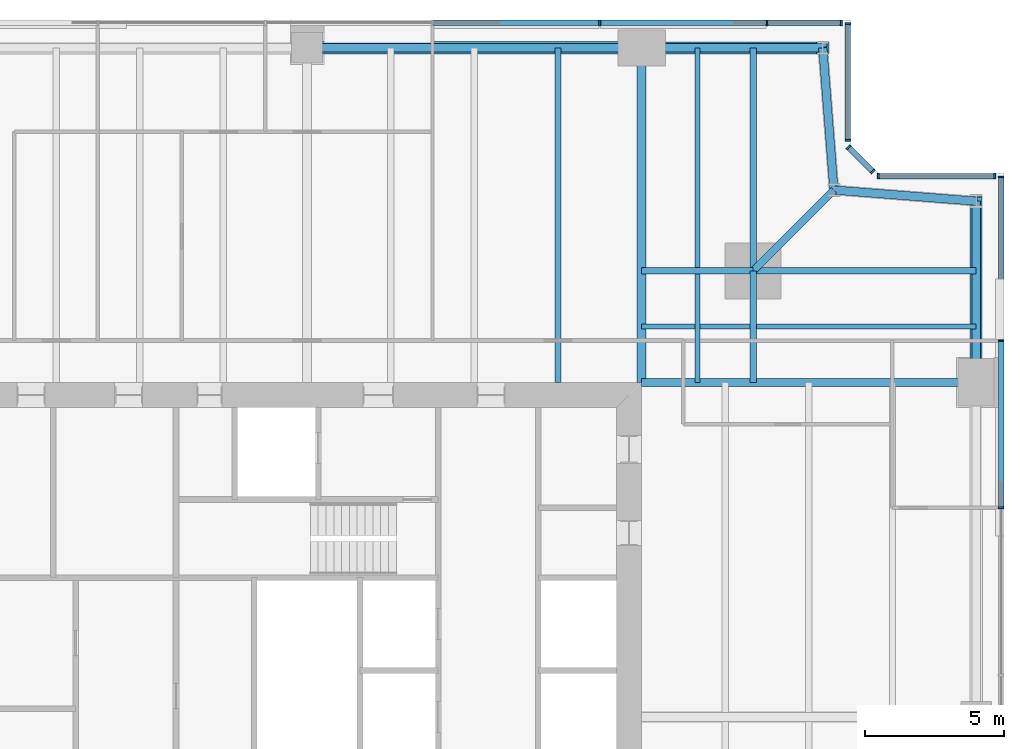
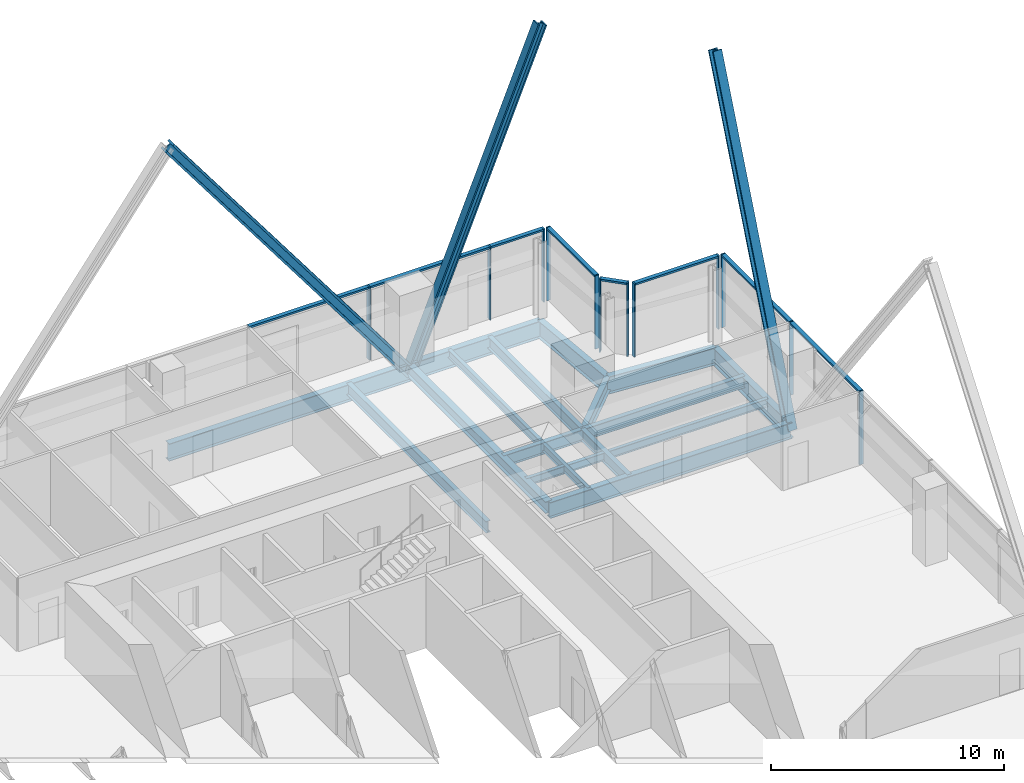
# One storey, part 7 of 13: 23 members, 18 beams, 5 elements without a shape of their own.
"""IFC4 building model written with IfcOpenShell, lengths in metres."""

from ifc_helpers import new_model, si_unit, direction, frame, origin, origin_2d, place, context, subcontext, project, spatial, rectangle, i_section, extrude, material, material_profile, profile_set, type_object, element, aggregate, save


model = new_model("IFC4")

# Units and contexts
model_context = context("Model", 3, precision=1e-05, world=origin(), true_north=direction((0.0, 1.0)))
body_context = subcontext(model_context, "Body", "Model", "MODEL_VIEW")
ifc_project = project(units=[si_unit("LENGTHUNIT", "METRE"), si_unit("AREAUNIT", "SQUARE_METRE"), si_unit("VOLUMEUNIT", "CUBIC_METRE"), si_unit("PLANEANGLEUNIT", "RADIAN"), si_unit("MASSUNIT", "GRAM", prefix="KILO")], contexts=[model_context])

# Site, building, storey
site_placement = place(None, origin())
site = spatial("IfcSite", under=ifc_project, at=site_placement, CompositionType="ELEMENT")
building_placement = place(site_placement, origin())
building = spatial("IfcBuilding", under=site, at=building_placement, Name="Fenwick Lantern Interchange", CompositionType="ELEMENT")
storey_placement = place(building_placement, frame((0.0, 0.0, 201.800048828125)))
storey = spatial("IfcBuildingStorey", under=building, at=storey_placement, Name="L47", CompositionType="ELEMENT", Elevation=201.800048828125)

# Beams
ifc_material_1 = material(Name="Steel ASTM A992 Grade 50", Category="steel")
ifc_material_profile_1 = material_profile(ifc_material_1, i_section(OverallWidth=0.3046875, OverallDepth=0.911865234375, WebThickness=0.015869140625, FlangeThickness=0.02392578125, at=origin_2d()), Name="W36X150")
ifc_profile_set_1 = profile_set([ifc_material_profile_1], Name="Steel ASTM A992 Grade 50")
beam_type_1 = type_object("IfcBeamType", Name="EDGE BEAM W36X150", PredefinedType="SPANDREL", material=ifc_profile_set_1)
beam_1_placement = place(storey_placement, frame((49.0, 37.0, -0.60595703125), z_axis=(0.0, 1.0, 0.0), x_axis=(-1.0, 0.0, 0.0)))
element("IfcBeam", 1, at=beam_1_placement, inside=storey, type_object=beam_type_1, Name="L47/FR/E/EB4", PredefinedType="SPANDREL", context=body_context, shape_type="SweptSolid", body=[
    extrude(i_section(OverallWidth=0.3046875, OverallDepth=0.911865234375, WebThickness=0.015869140625, FlangeThickness=0.02392578125, at=origin_2d()), origin(), (0.0, 0.0, 1.0), 6.5),
])
for number, where, z_axis, x_axis, name in (
    (2, (49.0, 43.5, -0.60595703125), (-0.99693998236, 0.078170784639, 0.0), (-0.078170784639, -0.99693998236, 0.0), "L47/FR/E/EBR1"),
    (3, (43.89990234375, 43.89990234375, -0.60595703125), (-0.078170784639, 0.99693998236, 0.0), (-0.99693998236, -0.078170784639, 0.0), "L47/FR/E/EBR2"),
):
    element("IfcBeam", number, at=place(storey_placement, frame(where, z_axis=z_axis, x_axis=x_axis)), inside=storey, type_object=beam_type_1, Name=name, PredefinedType="SPANDREL", context=body_context, shape_type="SweptSolid", body=[
        extrude(i_section(OverallWidth=0.3046875, OverallDepth=0.911865234375, WebThickness=0.015869140625, FlangeThickness=0.02392578125, at=origin_2d()), origin(), (0.0, 0.0, 1.0), 5.11572265625),
    ])
beam_2_placement = place(storey_placement, frame((43.5, 49.0, -0.60595703125), z_axis=(-1.0, 0.0, 0.0), x_axis=(0.0, -1.0, 0.0)))
element("IfcBeam", 4, at=beam_2_placement, inside=storey, type_object=beam_type_1, Name="L47/FR/N/EB1", PredefinedType="SPANDREL", context=body_context, shape_type="SweptSolid", body=[
    extrude(i_section(OverallWidth=0.3046875, OverallDepth=0.911865234375, WebThickness=0.015869140625, FlangeThickness=0.02392578125, at=origin_2d()), origin(), (0.0, 0.0, 1.0), 6.5),
])
beam_3_placement = place(storey_placement, frame((37.0, 49.0, -0.60595703125), z_axis=(-1.0, 0.0, 0.0), x_axis=(0.0, -1.0, 0.0)))
element("IfcBeam", 5, at=beam_3_placement, inside=storey, type_object=beam_type_1, Name="L47/FR/N/EB2", PredefinedType="SPANDREL", context=body_context, shape_type="SweptSolid", body=[
    extrude(i_section(OverallWidth=0.3046875, OverallDepth=0.911865234375, WebThickness=0.015869140625, FlangeThickness=0.02392578125, at=origin_2d()), origin(), (0.0, 0.0, 1.0), 12.0),
])

# Members
ifc_material_profile_2 = material_profile(ifc_material_1, i_section(OverallWidth=0.424072265625, OverallDepth=0.47509765625, WebThickness=0.0478515625, FlangeThickness=0.0771484375, at=origin_2d()), Name="W14X426")
ifc_profile_set_2 = profile_set([ifc_material_profile_2], Name="Steel ASTM A992 Grade 50")
member_type_1 = type_object("IfcMemberType", Name="FACADE BRACE W14X426", PredefinedType="BRACE", material=ifc_profile_set_2)
for number, where, z_axis, x_axis, name in (
    (6, (49.0, 37.0, -0.60595703125), (0.0, 0.376377046956, 0.926466577122), (-1.0, 0.0, 0.0), "L47/FB/E/BE"),
    (7, (37.0, 49.0, -0.60595703125), (0.376377046956, 0.0, 0.926466577122), (0.0, 1.0, 0.0), "L47/FB/N/AE"),
):
    element("IfcMember", number, at=place(storey_placement, frame(where, z_axis=z_axis, x_axis=x_axis)), inside=storey, type_object=member_type_1, Name=name, PredefinedType="BRACE", context=body_context, shape_type="SweptSolid", body=[
        extrude(i_section(OverallWidth=0.424072265625, OverallDepth=0.47509765625, WebThickness=0.0478515625, FlangeThickness=0.0771484375, at=origin_2d()), origin(), (0.0, 0.0, 1.0), 17.27001953125),
    ])
ifc_material_profile_3 = material_profile(ifc_material_1, i_section(OverallWidth=0.44189453125, OverallDepth=0.53076171875, WebThickness=0.06591796875, FlangeThickness=0.105712890625, at=origin_2d()), Name="W14X605")
ifc_profile_set_3 = profile_set([ifc_material_profile_3], Name="Steel ASTM A992 Grade 50")
member_type_2 = type_object("IfcMemberType", Name="FACADE BRACE W14X605", PredefinedType="BRACE", material=ifc_profile_set_3)
member_1_placement = place(storey_placement, frame((37.0, 49.0, -0.60595703125), z_axis=(-0.6, 0.0, 0.8), x_axis=(0.0, -1.0, 0.0)))
element("IfcMember", 8, at=member_1_placement, inside=storey, type_object=member_type_2, Name="L47/FB/N/A", PredefinedType="BRACE", context=body_context, shape_type="SweptSolid", body=[
    extrude(i_section(OverallWidth=0.44189453125, OverallDepth=0.53076171875, WebThickness=0.06591796875, FlangeThickness=0.105712890625, at=origin_2d()), origin(), (0.0, 0.0, 1.0), 20.0),
])

# Beams
ifc_material_profile_4 = material_profile(ifc_material_1, i_section(OverallWidth=0.22900390625, OverallDepth=0.612060546875, WebThickness=0.011962890625, FlangeThickness=0.01953125, at=origin_2d()), Name="W24X84")
ifc_profile_set_4 = profile_set([ifc_material_profile_4], Name="Steel ASTM A992 Grade 50")
beam_type_2 = type_object("IfcBeamType", Name="FLOOR BEAM W24X84", PredefinedType="BEAM", material=ifc_profile_set_4)
beam_4_placement = place(storey_placement, frame((34.0, 49.0, -0.4560546875), z_axis=(0.0, -1.0, 0.0), x_axis=(1.0, 0.0, 0.0)))
element("IfcBeam", 9, at=beam_4_placement, inside=storey, type_object=beam_type_2, Name="L47/FR/N/R02", PredefinedType="BEAM", context=body_context, shape_type="SweptSolid", body=[
    extrude(i_section(OverallWidth=0.22900390625, OverallDepth=0.612060546875, WebThickness=0.011962890625, FlangeThickness=0.01953125, at=origin_2d()), origin(), (0.0, 0.0, 1.0), 12.0),
])
ifc_material_profile_5 = material_profile(ifc_material_1, i_section(OverallWidth=0.177734375, OverallDepth=0.406494140625, WebThickness=0.0078125, FlangeThickness=0.012939453125, at=origin_2d()), Name="W16X40")
ifc_profile_set_5 = profile_set([ifc_material_profile_5], Name="Steel ASTM A992 Grade 50")
beam_type_3 = type_object("IfcBeamType", Name="INFILL BEAM W16X40", PredefinedType="JOIST", material=ifc_profile_set_5)
beam_5_placement = place(storey_placement, frame((39.0, 49.0, -0.353271484375), z_axis=(0.0, -1.0, 0.0), x_axis=(1.0, 0.0, 0.0)))
element("IfcBeam", 10, at=beam_5_placement, inside=storey, type_object=beam_type_3, Name="L47/FR/N/J1", PredefinedType="JOIST", context=body_context, shape_type="SweptSolid", body=[
    extrude(i_section(OverallWidth=0.177734375, OverallDepth=0.406494140625, WebThickness=0.0078125, FlangeThickness=0.012939453125, at=origin_2d()), origin(), (0.0, 0.0, 1.0), 7.885498046875),
])
beam_6_placement = place(storey_placement, frame((39.0, 40.885498046875, -0.353271484375), z_axis=(0.0, -1.0, 0.0), x_axis=(1.0, 0.0, 0.0)))
element("IfcBeam", 11, at=beam_6_placement, inside=storey, type_object=beam_type_3, Name="L47/FR/N/J2", PredefinedType="JOIST", context=body_context, shape_type="SweptSolid", body=[
    extrude(i_section(OverallWidth=0.177734375, OverallDepth=0.406494140625, WebThickness=0.0078125, FlangeThickness=0.012939453125, at=origin_2d()), origin(), (0.0, 0.0, 1.0), 3.885498046875),
])
beam_7_placement = place(storey_placement, frame((49.0, 39.0, -0.353271484375), z_axis=(-1.0, 0.0, 0.0), x_axis=(0.0, -1.0, 0.0)))
element("IfcBeam", 12, at=beam_7_placement, inside=storey, type_object=beam_type_3, Name="L47/FR/N/J3", PredefinedType="JOIST", context=body_context, shape_type="SweptSolid", body=[
    extrude(i_section(OverallWidth=0.177734375, OverallDepth=0.406494140625, WebThickness=0.0078125, FlangeThickness=0.012939453125, at=origin_2d()), origin(), (0.0, 0.0, 1.0), 7.885498046875),
])
beam_8_placement = place(storey_placement, frame((40.885498046875, 39.0, -0.353271484375), z_axis=(-1.0, 0.0, 0.0), x_axis=(0.0, -1.0, 0.0)))
element("IfcBeam", 13, at=beam_8_placement, inside=storey, type_object=beam_type_3, Name="L47/FR/N/J4", PredefinedType="JOIST", context=body_context, shape_type="SweptSolid", body=[
    extrude(i_section(OverallWidth=0.177734375, OverallDepth=0.406494140625, WebThickness=0.0078125, FlangeThickness=0.012939453125, at=origin_2d()), origin(), (0.0, 0.0, 1.0), 1.796630859375),
])
beam_9_placement = place(storey_placement, frame((38.9111328125, 39.0, -0.353271484375), z_axis=(-1.0, 0.0, 0.0), x_axis=(0.0, -1.0, 0.0)))
element("IfcBeam", 14, at=beam_9_placement, inside=storey, type_object=beam_type_3, Name="L47/FR/N/J5", PredefinedType="JOIST", context=body_context, shape_type="SweptSolid", body=[
    extrude(i_section(OverallWidth=0.177734375, OverallDepth=0.406494140625, WebThickness=0.0078125, FlangeThickness=0.012939453125, at=origin_2d()), origin(), (0.0, 0.0, 1.0), 1.9111328125),
])
ifc_material_profile_6 = material_profile(ifc_material_1, i_section(OverallWidth=0.22900390625, OverallDepth=0.612060546875, WebThickness=0.011962890625, FlangeThickness=0.01953125, at=origin_2d()), Name="W24X84")
ifc_profile_set_6 = profile_set([ifc_material_profile_6], Name="Steel ASTM A992 Grade 50")
beam_type_4 = type_object("IfcBeamType", Name="MEGA COLUMN BEAM W24X84", PredefinedType="BEAM", material=ifc_profile_set_6)
for number, where, z_axis, x_axis, name in (
    (15, (41.0, 41.0, -0.4560546875), (0.0, 1.0, 0.0), (-1.0, 0.0, 0.0), "L47/FR/N/MB1"),
    (16, (41.0, 41.0, -0.4560546875), (1.0, 0.0, 0.0), (0.0, 1.0, 0.0), "L47/FR/N/MB2"),
):
    element("IfcBeam", number, at=place(storey_placement, frame(where, z_axis=z_axis, x_axis=x_axis)), inside=storey, type_object=beam_type_4, Name=name, PredefinedType="BEAM", context=body_context, shape_type="SweptSolid", body=[
        extrude(i_section(OverallWidth=0.22900390625, OverallDepth=0.612060546875, WebThickness=0.011962890625, FlangeThickness=0.01953125, at=origin_2d()), origin(), (0.0, 0.0, 1.0), 8.0),
    ])
for number, where, z_axis, x_axis, name in (
    (17, (41.0, 41.0, -0.4560546875), (-1.0, 0.0, 0.0), (0.0, -1.0, 0.0), "L47/FR/N/MB3"),
    (18, (41.0, 41.0, -0.4560546875), (0.0, -1.0, 0.0), (1.0, 0.0, 0.0), "L47/FR/N/MB4"),
):
    element("IfcBeam", number, at=place(storey_placement, frame(where, z_axis=z_axis, x_axis=x_axis)), inside=storey, type_object=beam_type_4, Name=name, PredefinedType="BEAM", context=body_context, shape_type="SweptSolid", body=[
        extrude(i_section(OverallWidth=0.22900390625, OverallDepth=0.612060546875, WebThickness=0.011962890625, FlangeThickness=0.01953125, at=origin_2d()), origin(), (0.0, 0.0, 1.0), 4.0),
    ])
ifc_material_profile_7 = material_profile(ifc_material_1, i_section(OverallWidth=0.32763671875, OverallDepth=0.622314453125, WebThickness=0.015380859375, FlangeThickness=0.0244140625, at=origin_2d()), Name="W24X131")
ifc_profile_set_7 = profile_set([ifc_material_profile_7], Name="Steel ASTM A992 Grade 50")
beam_type_5 = type_object("IfcBeamType", Name="MOMENT-CONNECTED GIRDER W24X131", PredefinedType="BEAM", material=ifc_profile_set_7)
beam_10_placement = place(storey_placement, frame((37.0, 49.0, -0.461181640625), z_axis=(0.0, -1.0, 0.0), x_axis=(1.0, 0.0, 0.0)))
element("IfcBeam", 19, at=beam_10_placement, inside=storey, type_object=beam_type_5, Name="L47/FR/N/R01", PredefinedType="BEAM", context=body_context, shape_type="SweptSolid", body=[
    extrude(i_section(OverallWidth=0.32763671875, OverallDepth=0.622314453125, WebThickness=0.015380859375, FlangeThickness=0.0244140625, at=origin_2d()), origin(), (0.0, 0.0, 1.0), 12.0),
])
ifc_material_profile_8 = material_profile(ifc_material_1, i_section(OverallWidth=0.2919921875, OverallDepth=0.845703125, WebThickness=0.015380859375, FlangeThickness=0.0244140625, at=origin_2d()), Name="W33X141")
ifc_profile_set_8 = profile_set([ifc_material_profile_8], Name="Steel ASTM A992 Grade 50")
beam_type_6 = type_object("IfcBeamType", Name="MOMENT-CONNECTED GIRDER W33X141", PredefinedType="BEAM", material=ifc_profile_set_8)
beam_11_placement = place(storey_placement, frame((49.0, 37.0, -0.572998046875), z_axis=(-1.0, 0.0, 0.0), x_axis=(0.0, -1.0, 0.0)))
element("IfcBeam", 20, at=beam_11_placement, inside=storey, type_object=beam_type_6, Name="L47/FR/E/R03", PredefinedType="BEAM", context=body_context, shape_type="SweptSolid", body=[
    extrude(i_section(OverallWidth=0.2919921875, OverallDepth=0.845703125, WebThickness=0.015380859375, FlangeThickness=0.0244140625, at=origin_2d()), origin(), (0.0, 0.0, 1.0), 12.0),
])
ifc_material_profile_9 = material_profile(ifc_material_1, i_section(OverallWidth=0.2666015625, OverallDepth=0.7568359375, WebThickness=0.013916015625, FlangeThickness=0.019287109375, at=origin_2d()), Name="W30X108")
ifc_profile_set_9 = profile_set([ifc_material_profile_9], Name="Steel ASTM A992 Grade 50")
beam_type_7 = type_object("IfcBeamType", Name="NOTCH BEAM W30X108", PredefinedType="BEAM", material=ifc_profile_set_9)
beam_12_placement = place(storey_placement, frame((41.0, 41.0, -0.528564453125), z_axis=(0.707106781187, 0.707106781187, 0.0), x_axis=(-0.707106781187, 0.707106781187, 0.0)))
element("IfcBeam", 21, at=beam_12_placement, inside=storey, type_object=beam_type_7, Name="L47/FR/N/TG", PredefinedType="BEAM", context=body_context, shape_type="SweptSolid", body=[
    extrude(i_section(OverallWidth=0.2666015625, OverallDepth=0.7568359375, WebThickness=0.013916015625, FlangeThickness=0.019287109375, at=origin_2d()), origin(), (0.0, 0.0, 1.0), 4.10107421875),
])

# Curtain wall, members
ifc_material_2 = material(Name="Aluminium curtain wall frame", Category="aluminium")
curtain_wall_type = type_object("IfcCurtainWallType", Name="OFFICE CURTAIN WALL", PredefinedType="USERDEFINED", material=ifc_material_2)
curtain_wall_1_placement = place(storey_placement, origin())
curtain_wall_1 = element("IfcCurtainWall", 22, at=curtain_wall_1_placement, inside=storey, type_object=curtain_wall_type, Name="Office curtain wall 05", ObjectType="OFFICE CURTAIN WALL", PredefinedType="USERDEFINED")
ifc_material_3 = material(Name="Aluminium extrusion", Category="aluminium")
ifc_material_profile_10 = material_profile(ifc_material_3, rectangle(XDim=0.199951171875, YDim=0.06494140625, at=origin_2d()), Name="OFFICE CURTAIN WALL MULLION 65 X 200")
ifc_profile_set_10 = profile_set([ifc_material_profile_10], Name="Aluminium extrusion")
member_type_3 = type_object("IfcMemberType", Name="OFFICE CURTAIN WALL MULLION 65 X 200", PredefinedType="MULLION", material=ifc_profile_set_10)
member_2_placement = place(storey_placement, frame((49.89990234375, 32.5, 0.0), z_axis=(0.0, 0.0, 1.0), x_axis=(-1.0, 0.0, 0.0)))
member_2 = element("IfcMember", 23, at=member_2_placement, type_object=member_type_3, Name="L47/CW/05/M05", PredefinedType="MULLION", context=body_context, shape_type="SweptSolid", body=[
    extrude(rectangle(XDim=0.199951171875, YDim=0.06494140625, at=origin_2d()), origin(), (0.0, 0.0, 1.0), 3.849853515625),
])
member_3_placement = place(storey_placement, frame((49.89990234375, 38.5, 0.0), z_axis=(0.0, 0.0, 1.0), x_axis=(-1.0, 0.0, 0.0)))
member_3 = element("IfcMember", 24, at=member_3_placement, type_object=member_type_3, Name="L47/CW/05/M06", PredefinedType="MULLION", context=body_context, shape_type="SweptSolid", body=[
    extrude(rectangle(XDim=0.199951171875, YDim=0.06494140625, at=origin_2d()), origin(), (0.0, 0.0, 1.0), 3.849853515625),
])
member_4_placement = place(storey_placement, frame((49.89990234375, 44.367431640625, 0.0), z_axis=(0.0, 0.0, 1.0), x_axis=(-1.0, 0.0, 0.0)))
member_4 = element("IfcMember", 25, at=member_4_placement, type_object=member_type_3, Name="L47/CW/05/M07", PredefinedType="MULLION", context=body_context, shape_type="SweptSolid", body=[
    extrude(rectangle(XDim=0.199951171875, YDim=0.06494140625, at=origin_2d()), origin(), (0.0, 0.0, 1.0), 3.849853515625),
])

curtain_wall_2_placement = place(storey_placement, origin())
curtain_wall_2 = element("IfcCurtainWall", 26, at=curtain_wall_2_placement, inside=storey, type_object=curtain_wall_type, Name="Office curtain wall 06", ObjectType="OFFICE CURTAIN WALL", PredefinedType="USERDEFINED")
member_5_placement = place(storey_placement, frame((49.66748046875, 44.39990234375, 0.0), z_axis=(0.0, 0.0, 1.0), x_axis=(0.0, -1.0, 0.0)))
member_5 = element("IfcMember", 27, at=member_5_placement, type_object=member_type_3, Name="L47/CW/06/M00", PredefinedType="MULLION", context=body_context, shape_type="SweptSolid", body=[
    extrude(rectangle(XDim=0.199951171875, YDim=0.06494140625, at=origin_2d()), origin(), (0.0, 0.0, 1.0), 3.849853515625),
])
member_6_placement = place(storey_placement, frame((45.490966796875, 44.39990234375, 0.0), z_axis=(0.0, 0.0, 1.0), x_axis=(0.0, -1.0, 0.0)))
member_6 = element("IfcMember", 28, at=member_6_placement, type_object=member_type_3, Name="L47/CW/06/M01", PredefinedType="MULLION", context=body_context, shape_type="SweptSolid", body=[
    extrude(rectangle(XDim=0.199951171875, YDim=0.06494140625, at=origin_2d()), origin(), (0.0, 0.0, 1.0), 3.849853515625),
])

curtain_wall_3_placement = place(storey_placement, origin())
curtain_wall_3 = element("IfcCurtainWall", 29, at=curtain_wall_3_placement, inside=storey, type_object=curtain_wall_type, Name="Office curtain wall 07", ObjectType="OFFICE CURTAIN WALL", PredefinedType="USERDEFINED")
member_7_placement = place(storey_placement, frame((45.294189453125, 44.564453125, 0.0), z_axis=(0.0, 0.0, 1.0), x_axis=(-0.707106781187, -0.707106781187, 0.0)))
member_7 = element("IfcMember", 30, at=member_7_placement, type_object=member_type_3, Name="L47/CW/07/M00", PredefinedType="MULLION", context=body_context, shape_type="SweptSolid", body=[
    extrude(rectangle(XDim=0.199951171875, YDim=0.06494140625, at=origin_2d()), origin(), (0.0, 0.0, 1.0), 3.849853515625),
])
member_8_placement = place(storey_placement, frame((44.423095703125, 45.435546875, 0.0), z_axis=(0.0, 0.0, 1.0), x_axis=(-0.707106781187, -0.707106781187, 0.0)))
member_8 = element("IfcMember", 31, at=member_8_placement, type_object=member_type_3, Name="L47/CW/07/M01", PredefinedType="MULLION", context=body_context, shape_type="SweptSolid", body=[
    extrude(rectangle(XDim=0.199951171875, YDim=0.06494140625, at=origin_2d()), origin(), (0.0, 0.0, 1.0), 3.849853515625),
])

curtain_wall_4_placement = place(storey_placement, origin())
curtain_wall_4 = element("IfcCurtainWall", 32, at=curtain_wall_4_placement, inside=storey, type_object=curtain_wall_type, Name="Office curtain wall 08", ObjectType="OFFICE CURTAIN WALL", PredefinedType="USERDEFINED")
member_9_placement = place(storey_placement, frame((44.39990234375, 45.691162109375, 0.0), z_axis=(0.0, 0.0, 1.0), x_axis=(-1.0, 0.0, 0.0)))
member_9 = element("IfcMember", 33, at=member_9_placement, type_object=member_type_3, Name="L47/CW/08/M00", PredefinedType="MULLION", context=body_context, shape_type="SweptSolid", body=[
    extrude(rectangle(XDim=0.199951171875, YDim=0.06494140625, at=origin_2d()), origin(), (0.0, 0.0, 1.0), 3.849853515625),
])
member_10_placement = place(storey_placement, frame((44.39990234375, 49.867431640625, 0.0), z_axis=(0.0, 0.0, 1.0), x_axis=(-1.0, 0.0, 0.0)))
member_10 = element("IfcMember", 34, at=member_10_placement, type_object=member_type_3, Name="L47/CW/08/M01", PredefinedType="MULLION", context=body_context, shape_type="SweptSolid", body=[
    extrude(rectangle(XDim=0.199951171875, YDim=0.06494140625, at=origin_2d()), origin(), (0.0, 0.0, 1.0), 3.849853515625),
])

curtain_wall_5_placement = place(storey_placement, origin())
curtain_wall_5 = element("IfcCurtainWall", 35, at=curtain_wall_5_placement, inside=storey, type_object=curtain_wall_type, Name="Office curtain wall 09", ObjectType="OFFICE CURTAIN WALL", PredefinedType="USERDEFINED")
member_11_placement = place(storey_placement, frame((44.16748046875, 49.89990234375, 0.0), z_axis=(0.0, 0.0, 1.0), x_axis=(0.0, -1.0, 0.0)))
member_11 = element("IfcMember", 36, at=member_11_placement, type_object=member_type_3, Name="L47/CW/09/M00", PredefinedType="MULLION", context=body_context, shape_type="SweptSolid", body=[
    extrude(rectangle(XDim=0.199951171875, YDim=0.06494140625, at=origin_2d()), origin(), (0.0, 0.0, 1.0), 3.849853515625),
])
member_12_placement = place(storey_placement, frame((41.5, 49.89990234375, 0.0), z_axis=(0.0, 0.0, 1.0), x_axis=(0.0, -1.0, 0.0)))
member_12 = element("IfcMember", 37, at=member_12_placement, type_object=member_type_3, Name="L47/CW/09/M01", PredefinedType="MULLION", context=body_context, shape_type="SweptSolid", body=[
    extrude(rectangle(XDim=0.199951171875, YDim=0.06494140625, at=origin_2d()), origin(), (0.0, 0.0, 1.0), 3.849853515625),
])
member_13_placement = place(storey_placement, frame((35.5, 49.89990234375, 0.0), z_axis=(0.0, 0.0, 1.0), x_axis=(0.0, -1.0, 0.0)))
member_13 = element("IfcMember", 38, at=member_13_placement, type_object=member_type_3, Name="L47/CW/09/M02", PredefinedType="MULLION", context=body_context, shape_type="SweptSolid", body=[
    extrude(rectangle(XDim=0.199951171875, YDim=0.06494140625, at=origin_2d()), origin(), (0.0, 0.0, 1.0), 3.849853515625),
])

# Member
ifc_material_profile_11 = material_profile(ifc_material_3, rectangle(XDim=0.199951171875, YDim=0.10009765625, at=origin_2d()), Name="OFFICE CURTAIN WALL TRANSOM 100 X 200")
ifc_profile_set_11 = profile_set([ifc_material_profile_11], Name="Aluminium extrusion")
member_type_4 = type_object("IfcMemberType", Name="OFFICE CURTAIN WALL TRANSOM 100 X 200", PredefinedType="MULLION", material=ifc_profile_set_11)
member_14_placement = place(storey_placement, frame((49.89990234375, 32.532470703125, 3.800048828125), z_axis=(0.0, 1.0, 0.0), x_axis=(-1.0, 0.0, 0.0)))
member_14 = element("IfcMember", 39, at=member_14_placement, type_object=member_type_4, Name="L47/CW/05/T05", PredefinedType="MULLION", context=body_context, shape_type="SweptSolid", body=[
    extrude(rectangle(XDim=0.199951171875, YDim=0.10009765625, at=origin_2d()), origin(), (0.0, 0.0, 1.0), 5.93505859375),
])

member_15_placement = place(storey_placement, frame((49.89990234375, 38.532470703125, 3.800048828125), z_axis=(0.0, 1.0, 0.0), x_axis=(-1.0, 0.0, 0.0)))
member_15 = element("IfcMember", 40, at=member_15_placement, type_object=member_type_4, Name="L47/CW/05/T06", PredefinedType="MULLION", context=body_context, shape_type="SweptSolid", body=[
    extrude(rectangle(XDim=0.199951171875, YDim=0.10009765625, at=origin_2d()), origin(), (0.0, 0.0, 1.0), 5.802490234375),
])

aggregate(curtain_wall_1, [member_2, member_3, member_4, member_14, member_15])

member_16_placement = place(storey_placement, frame((49.635009765625, 44.39990234375, 3.800048828125), z_axis=(-1.0, 0.0, 0.0), x_axis=(0.0, -1.0, 0.0)))
member_16 = element("IfcMember", 41, at=member_16_placement, type_object=member_type_4, Name="L47/CW/06/T00", PredefinedType="MULLION", context=body_context, shape_type="SweptSolid", body=[
    extrude(rectangle(XDim=0.199951171875, YDim=0.10009765625, at=origin_2d()), origin(), (0.0, 0.0, 1.0), 4.111328125),
])

aggregate(curtain_wall_2, [member_5, member_6, member_16])

member_17_placement = place(storey_placement, frame((45.271240234375, 44.58740234375, 3.800048828125), z_axis=(-0.707106781187, 0.707106781187, 0.0), x_axis=(-0.707106781187, -0.707106781187, 0.0)))
member_17 = element("IfcMember", 42, at=member_17_placement, type_object=member_type_4, Name="L47/CW/07/T00", PredefinedType="MULLION", context=body_context, shape_type="SweptSolid", body=[
    extrude(rectangle(XDim=0.199951171875, YDim=0.10009765625, at=origin_2d()), origin(), (0.0, 0.0, 1.0), 1.1669921875),
])

aggregate(curtain_wall_3, [member_7, member_8, member_17])

member_18_placement = place(storey_placement, frame((44.39990234375, 45.7236328125, 3.800048828125), z_axis=(0.0, 1.0, 0.0), x_axis=(-1.0, 0.0, 0.0)))
member_18 = element("IfcMember", 43, at=member_18_placement, type_object=member_type_4, Name="L47/CW/08/T00", PredefinedType="MULLION", context=body_context, shape_type="SweptSolid", body=[
    extrude(rectangle(XDim=0.199951171875, YDim=0.10009765625, at=origin_2d()), origin(), (0.0, 0.0, 1.0), 4.111328125),
])

aggregate(curtain_wall_4, [member_9, member_10, member_18])

member_19_placement = place(storey_placement, frame((44.135009765625, 49.89990234375, 3.800048828125), z_axis=(-1.0, 0.0, 0.0), x_axis=(0.0, -1.0, 0.0)))
member_19 = element("IfcMember", 44, at=member_19_placement, type_object=member_type_4, Name="L47/CW/09/T00", PredefinedType="MULLION", context=body_context, shape_type="SweptSolid", body=[
    extrude(rectangle(XDim=0.199951171875, YDim=0.10009765625, at=origin_2d()), origin(), (0.0, 0.0, 1.0), 2.6025390625),
])

member_20_placement = place(storey_placement, frame((41.467529296875, 49.89990234375, 3.800048828125), z_axis=(-1.0, 0.0, 0.0), x_axis=(0.0, -1.0, 0.0)))
member_20 = element("IfcMember", 45, at=member_20_placement, type_object=member_type_4, Name="L47/CW/09/T01", PredefinedType="MULLION", context=body_context, shape_type="SweptSolid", body=[
    extrude(rectangle(XDim=0.199951171875, YDim=0.10009765625, at=origin_2d()), origin(), (0.0, 0.0, 1.0), 5.93505859375),
])

member_21_placement = place(storey_placement, frame((35.467529296875, 49.89990234375, 3.800048828125), z_axis=(-1.0, 0.0, 0.0), x_axis=(0.0, -1.0, 0.0)))
member_21 = element("IfcMember", 46, at=member_21_placement, type_object=member_type_4, Name="L47/CW/09/T02", PredefinedType="MULLION", context=body_context, shape_type="SweptSolid", body=[
    extrude(rectangle(XDim=0.199951171875, YDim=0.10009765625, at=origin_2d()), origin(), (0.0, 0.0, 1.0), 5.93505859375),
])

aggregate(curtain_wall_5, [member_11, member_12, member_13, member_19, member_20, member_21])

save(model, "model.ifc")
